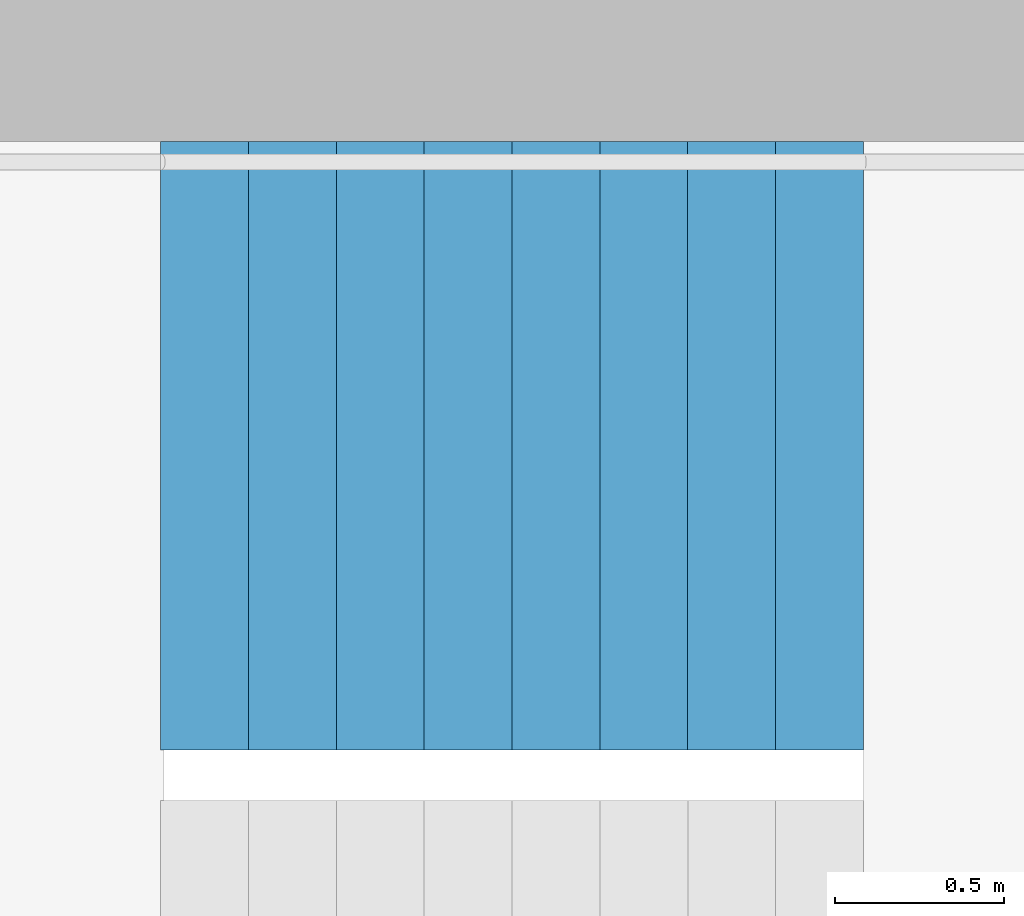
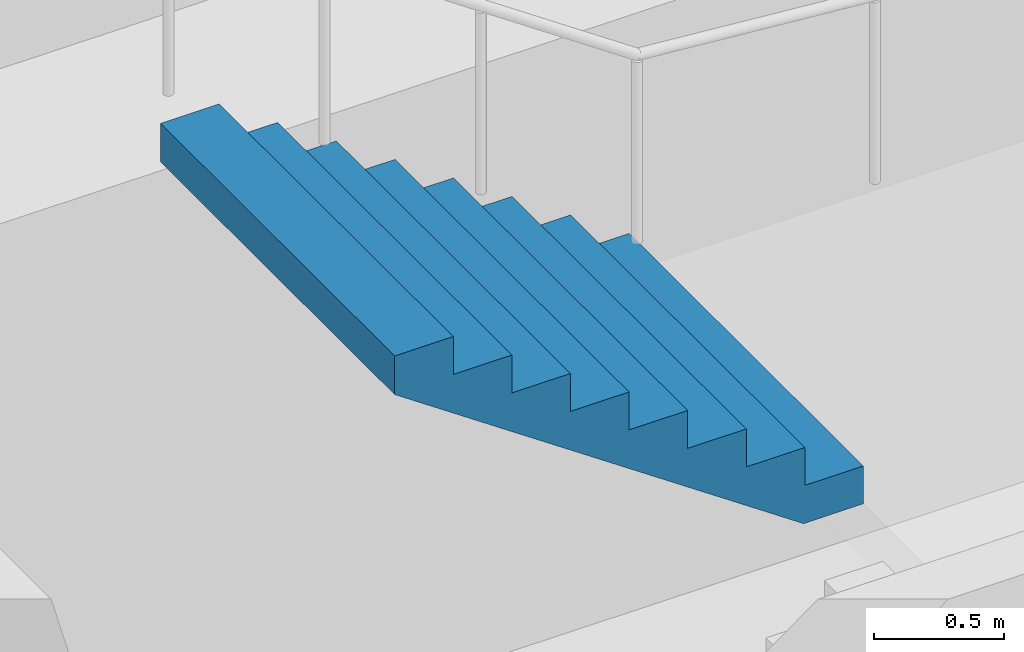
# One storey, part 23 of 28: 1 stair flight, 1 element without a shape of its own.
"""IFC4 building model written with IfcOpenShell, lengths in metres."""

from ifc_helpers import new_model, si_unit, direction, frame, origin, place, context, subcontext, project, spatial, triangles, material, type_object, element, aggregate, save


model = new_model("IFC4")

# Units and contexts
model_context = context("Model", 3, precision=1e-05, world=origin(), true_north=direction((0.0, 1.0)))
body_context = subcontext(model_context, "Body", "Model", "MODEL_VIEW")
ifc_project = project(units=[si_unit("LENGTHUNIT", "METRE"), si_unit("AREAUNIT", "SQUARE_METRE"), si_unit("VOLUMEUNIT", "CUBIC_METRE"), si_unit("PLANEANGLEUNIT", "RADIAN"), si_unit("MASSUNIT", "GRAM", prefix="KILO")], contexts=[model_context])

# Site, building, storey
site_placement = place(None, origin())
site = spatial("IfcSite", under=ifc_project, at=site_placement, CompositionType="ELEMENT")
building_placement = place(site_placement, origin())
building = spatial("IfcBuilding", under=site, at=building_placement, Name="Hakoniwa Tower and Hamabe Station Hall", CompositionType="ELEMENT")
storey_placement = place(building_placement, frame((0.0, 0.0, 58.199951171875)))
storey = spatial("IfcBuildingStorey", under=building, at=storey_placement, Name="L16", CompositionType="ELEMENT", Elevation=58.199951171875)

# Stair, stair flight
ifc_material_1 = material(Name="Concrete C40", Category="concrete")
stair_type = type_object("IfcStairType", Name="ESCAPE STAIR 1800", PredefinedType="HALF_TURN_STAIR", material=ifc_material_1)
stair_placement = place(storey_placement, origin())
stair = element("IfcStair", 1, at=stair_placement, inside=storey, type_object=stair_type, Name="Escape stair ST-1 L16", PredefinedType="HALF_TURN_STAIR")
ifc_material_2 = material(Name="Concrete C40", Category="concrete")
stair_flight_type = type_object("IfcStairFlightType", Name="STAIR FLIGHT 1800", PredefinedType="STRAIGHT", material=ifc_material_2)
stair_flight_placement = place(storey_placement, frame((-22.320068359375, 6.60009765625, 1.60009765625), z_axis=(0.0, 0.0, 1.0), x_axis=(-1.0, 0.0, 0.0)))
stair_flight = element("IfcStairFlight", 2, at=stair_flight_placement, type_object=stair_flight_type, Name="ST-1 flight 2", NumberOfRisers=9, NumberOfTreads=8, PredefinedType="STRAIGHT", RiserHeight=0.177777778, TreadLength=0.26, context=body_context, shape_type="Tessellation", body=[
    triangles([(0.0, 0.89990234375, 0.0), (0.260009765625, 0.89990234375, 0.0), (0.265625, 0.89990234375, 0.0), (0.52001953125, 0.89990234375, 0.174072265625), (0.780029296875, 0.89990234375, 0.351806640625), (1.0400390625, 0.89990234375, 0.529541015625), (1.300048828125, 0.89990234375, 0.707275390625), (1.56005859375, 0.89990234375, 0.885009765625), (1.820068359375, 0.89990234375, 1.062744140625), (2.080078125, 0.89990234375, 1.24072265625), (2.080078125, 0.89990234375, 1.422119140625), (1.820068359375, 0.89990234375, 1.422119140625), (1.820068359375, 0.89990234375, 1.244384765625), (1.56005859375, 0.89990234375, 1.244384765625), (1.56005859375, 0.89990234375, 1.066650390625), (1.300048828125, 0.89990234375, 1.066650390625), (1.300048828125, 0.89990234375, 0.888916015625), (1.0400390625, 0.89990234375, 0.888916015625), (1.0400390625, 0.89990234375, 0.711181640625), (0.780029296875, 0.89990234375, 0.711181640625), (0.780029296875, 0.89990234375, 0.533447265625), (0.52001953125, 0.89990234375, 0.533447265625), (0.52001953125, 0.89990234375, 0.35546875), (0.265625, 0.89990234375, 0.35546875), (0.260009765625, 0.89990234375, 0.35546875), (0.260009765625, 0.89990234375, 0.177734375), (0.0, 0.89990234375, 0.177734375), (0.0, 0.06005859375, 0.0), (0.260009765625, 0.06005859375, 0.0), (0.265625, 0.06005859375, 0.0), (0.52001953125, 0.06005859375, 0.174072265625), (0.780029296875, 0.06005859375, 0.351806640625), (1.0400390625, 0.06005859375, 0.529541015625), (1.300048828125, 0.06005859375, 0.707275390625), (1.56005859375, 0.06005859375, 0.885009765625), (1.820068359375, 0.06005859375, 1.062744140625), (2.080078125, 0.06005859375, 1.24072265625), (2.080078125, 0.06005859375, 1.422119140625), (1.820068359375, 0.06005859375, 1.422119140625), (1.820068359375, 0.06005859375, 1.244384765625), (1.56005859375, 0.06005859375, 1.244384765625), (1.56005859375, 0.06005859375, 1.066650390625), (1.300048828125, 0.06005859375, 1.066650390625), (1.300048828125, 0.06005859375, 0.888916015625), (1.0400390625, 0.06005859375, 0.888916015625), (1.0400390625, 0.06005859375, 0.711181640625), (0.780029296875, 0.06005859375, 0.711181640625), (0.780029296875, 0.06005859375, 0.533447265625), (0.52001953125, 0.06005859375, 0.533447265625), (0.52001953125, 0.06005859375, 0.35546875), (0.265625, 0.06005859375, 0.35546875), (0.260009765625, 0.06005859375, 0.35546875), (0.260009765625, 0.06005859375, 0.177734375), (0.0, 0.06005859375, 0.177734375), (0.0, 0.04296875, 0.0), (0.260009765625, 0.04296875, 0.0), (0.265625, 0.04296875, 0.0), (0.52001953125, 0.04296875, 0.174072265625), (0.780029296875, 0.04296875, 0.351806640625), (1.0400390625, 0.04296875, 0.529541015625), (1.300048828125, 0.04296875, 0.707275390625), (1.56005859375, 0.04296875, 0.885009765625), (1.820068359375, 0.04296875, 1.062744140625), (2.080078125, 0.04296875, 1.24072265625), (2.080078125, 0.04296875, 1.422119140625), (1.820068359375, 0.04296875, 1.422119140625), (1.820068359375, 0.04296875, 1.244384765625), (1.56005859375, 0.04296875, 1.244384765625), (1.56005859375, 0.04296875, 1.066650390625), (1.300048828125, 0.04296875, 1.066650390625), (1.300048828125, 0.04296875, 0.888916015625), (1.0400390625, 0.04296875, 0.888916015625), (1.0400390625, 0.04296875, 0.711181640625), (0.780029296875, 0.04296875, 0.711181640625), (0.780029296875, 0.04296875, 0.533447265625), (0.52001953125, 0.04296875, 0.533447265625), (0.52001953125, 0.04296875, 0.35546875), (0.265625, 0.04296875, 0.35546875), (0.260009765625, 0.04296875, 0.35546875), (0.260009765625, 0.04296875, 0.177734375), (0.0, 0.04296875, 0.177734375), (0.0, 0.025634765625, 0.0), (0.260009765625, 0.025634765625, 0.0), (0.265625, 0.025634765625, 0.0), (0.52001953125, 0.025634765625, 0.174072265625), (0.780029296875, 0.025634765625, 0.351806640625), (1.0400390625, 0.025634765625, 0.529541015625), (1.300048828125, 0.025634765625, 0.707275390625), (1.56005859375, 0.025634765625, 0.885009765625), (1.820068359375, 0.025634765625, 1.062744140625), (2.080078125, 0.025634765625, 1.24072265625), (2.080078125, 0.025634765625, 1.422119140625), (1.820068359375, 0.025634765625, 1.422119140625), (1.820068359375, 0.025634765625, 1.244384765625), (1.56005859375, 0.025634765625, 1.244384765625), (1.56005859375, 0.025634765625, 1.066650390625), (1.300048828125, 0.025634765625, 1.066650390625), (1.300048828125, 0.025634765625, 0.888916015625), (1.0400390625, 0.025634765625, 0.888916015625), (1.0400390625, 0.025634765625, 0.711181640625), (0.780029296875, 0.025634765625, 0.711181640625), (0.780029296875, 0.025634765625, 0.533447265625), (0.52001953125, 0.025634765625, 0.533447265625), (0.52001953125, 0.025634765625, 0.35546875), (0.265625, 0.025634765625, 0.35546875), (0.260009765625, 0.025634765625, 0.35546875), (0.260009765625, 0.025634765625, 0.177734375), (0.0, 0.025634765625, 0.177734375), (0.0, 0.008544921875, 0.0), (0.260009765625, 0.008544921875, 0.0), (0.265625, 0.008544921875, 0.0), (0.52001953125, 0.008544921875, 0.174072265625), (0.780029296875, 0.008544921875, 0.351806640625), (1.0400390625, 0.008544921875, 0.529541015625), (1.300048828125, 0.008544921875, 0.707275390625), (1.56005859375, 0.008544921875, 0.885009765625), (1.820068359375, 0.008544921875, 1.062744140625), (2.080078125, 0.008544921875, 1.24072265625), (2.080078125, 0.008544921875, 1.422119140625), (1.820068359375, 0.008544921875, 1.422119140625), (1.820068359375, 0.008544921875, 1.244384765625), (1.56005859375, 0.008544921875, 1.244384765625), (1.56005859375, 0.008544921875, 1.066650390625), (1.300048828125, 0.008544921875, 1.066650390625), (1.300048828125, 0.008544921875, 0.888916015625), (1.0400390625, 0.008544921875, 0.888916015625), (1.0400390625, 0.008544921875, 0.711181640625), (0.780029296875, 0.008544921875, 0.711181640625), (0.780029296875, 0.008544921875, 0.533447265625), (0.52001953125, 0.008544921875, 0.533447265625), (0.52001953125, 0.008544921875, 0.35546875), (0.265625, 0.008544921875, 0.35546875), (0.260009765625, 0.008544921875, 0.35546875), (0.260009765625, 0.008544921875, 0.177734375), (0.0, 0.008544921875, 0.177734375), (0.0, -0.008544921875, 0.0), (0.260009765625, -0.008544921875, 0.0), (0.265625, -0.008544921875, 0.0), (0.52001953125, -0.008544921875, 0.174072265625), (0.780029296875, -0.008544921875, 0.351806640625), (1.0400390625, -0.008544921875, 0.529541015625), (1.300048828125, -0.008544921875, 0.707275390625), (1.56005859375, -0.008544921875, 0.885009765625), (1.820068359375, -0.008544921875, 1.062744140625), (2.080078125, -0.008544921875, 1.24072265625), (2.080078125, -0.008544921875, 1.422119140625), (1.820068359375, -0.008544921875, 1.422119140625), (1.820068359375, -0.008544921875, 1.244384765625), (1.56005859375, -0.008544921875, 1.244384765625), (1.56005859375, -0.008544921875, 1.066650390625), (1.300048828125, -0.008544921875, 1.066650390625), (1.300048828125, -0.008544921875, 0.888916015625), (1.0400390625, -0.008544921875, 0.888916015625), (1.0400390625, -0.008544921875, 0.711181640625), (0.780029296875, -0.008544921875, 0.711181640625), (0.780029296875, -0.008544921875, 0.533447265625), (0.52001953125, -0.008544921875, 0.533447265625), (0.52001953125, -0.008544921875, 0.35546875), (0.265625, -0.008544921875, 0.35546875), (0.260009765625, -0.008544921875, 0.35546875), (0.260009765625, -0.008544921875, 0.177734375), (0.0, -0.008544921875, 0.177734375), (0.0, -0.025634765625, 0.0), (0.260009765625, -0.025634765625, 0.0), (0.265625, -0.025634765625, 0.0), (0.52001953125, -0.025634765625, 0.174072265625), (0.780029296875, -0.025634765625, 0.351806640625), (1.0400390625, -0.025634765625, 0.529541015625), (1.300048828125, -0.025634765625, 0.707275390625), (1.56005859375, -0.025634765625, 0.885009765625), (1.820068359375, -0.025634765625, 1.062744140625), (2.080078125, -0.025634765625, 1.24072265625), (2.080078125, -0.025634765625, 1.422119140625), (1.820068359375, -0.025634765625, 1.422119140625), (1.820068359375, -0.025634765625, 1.244384765625), (1.56005859375, -0.025634765625, 1.244384765625), (1.56005859375, -0.025634765625, 1.066650390625), (1.300048828125, -0.025634765625, 1.066650390625), (1.300048828125, -0.025634765625, 0.888916015625), (1.0400390625, -0.025634765625, 0.888916015625), (1.0400390625, -0.025634765625, 0.711181640625), (0.780029296875, -0.025634765625, 0.711181640625), (0.780029296875, -0.025634765625, 0.533447265625), (0.52001953125, -0.025634765625, 0.533447265625), (0.52001953125, -0.025634765625, 0.35546875), (0.265625, -0.025634765625, 0.35546875), (0.260009765625, -0.025634765625, 0.35546875), (0.260009765625, -0.025634765625, 0.177734375), (0.0, -0.025634765625, 0.177734375), (0.0, -0.04296875, 0.0), (0.260009765625, -0.04296875, 0.0), (0.265625, -0.04296875, 0.0), (0.52001953125, -0.04296875, 0.174072265625), (0.780029296875, -0.04296875, 0.351806640625), (1.0400390625, -0.04296875, 0.529541015625), (1.300048828125, -0.04296875, 0.707275390625), (1.56005859375, -0.04296875, 0.885009765625), (1.820068359375, -0.04296875, 1.062744140625), (2.080078125, -0.04296875, 1.24072265625), (2.080078125, -0.04296875, 1.422119140625), (1.820068359375, -0.04296875, 1.422119140625), (1.820068359375, -0.04296875, 1.244384765625), (1.56005859375, -0.04296875, 1.244384765625), (1.56005859375, -0.04296875, 1.066650390625), (1.300048828125, -0.04296875, 1.066650390625), (1.300048828125, -0.04296875, 0.888916015625), (1.0400390625, -0.04296875, 0.888916015625), (1.0400390625, -0.04296875, 0.711181640625), (0.780029296875, -0.04296875, 0.711181640625), (0.780029296875, -0.04296875, 0.533447265625), (0.52001953125, -0.04296875, 0.533447265625), (0.52001953125, -0.04296875, 0.35546875), (0.265625, -0.04296875, 0.35546875), (0.260009765625, -0.04296875, 0.35546875), (0.260009765625, -0.04296875, 0.177734375), (0.0, -0.04296875, 0.177734375), (0.0, -0.06005859375, 0.0), (0.260009765625, -0.06005859375, 0.0), (0.265625, -0.06005859375, 0.0), (0.52001953125, -0.06005859375, 0.174072265625), (0.780029296875, -0.06005859375, 0.351806640625), (1.0400390625, -0.06005859375, 0.529541015625), (1.300048828125, -0.06005859375, 0.707275390625), (1.56005859375, -0.06005859375, 0.885009765625), (1.820068359375, -0.06005859375, 1.062744140625), (2.080078125, -0.06005859375, 1.24072265625), (2.080078125, -0.06005859375, 1.422119140625), (1.820068359375, -0.06005859375, 1.422119140625), (1.820068359375, -0.06005859375, 1.244384765625), (1.56005859375, -0.06005859375, 1.244384765625), (1.56005859375, -0.06005859375, 1.066650390625), (1.300048828125, -0.06005859375, 1.066650390625), (1.300048828125, -0.06005859375, 0.888916015625), (1.0400390625, -0.06005859375, 0.888916015625), (1.0400390625, -0.06005859375, 0.711181640625), (0.780029296875, -0.06005859375, 0.711181640625), (0.780029296875, -0.06005859375, 0.533447265625), (0.52001953125, -0.06005859375, 0.533447265625), (0.52001953125, -0.06005859375, 0.35546875), (0.265625, -0.06005859375, 0.35546875), (0.260009765625, -0.06005859375, 0.35546875), (0.260009765625, -0.06005859375, 0.177734375), (0.0, -0.06005859375, 0.177734375), (0.0, -0.89990234375, 0.0), (0.260009765625, -0.89990234375, 0.0), (0.265625, -0.89990234375, 0.0), (0.52001953125, -0.89990234375, 0.174072265625), (0.780029296875, -0.89990234375, 0.351806640625), (1.0400390625, -0.89990234375, 0.529541015625), (1.300048828125, -0.89990234375, 0.707275390625), (1.56005859375, -0.89990234375, 0.885009765625), (1.820068359375, -0.89990234375, 1.062744140625), (2.080078125, -0.89990234375, 1.24072265625), (2.080078125, -0.89990234375, 1.422119140625), (1.820068359375, -0.89990234375, 1.422119140625), (1.820068359375, -0.89990234375, 1.244384765625), (1.56005859375, -0.89990234375, 1.244384765625), (1.56005859375, -0.89990234375, 1.066650390625), (1.300048828125, -0.89990234375, 1.066650390625), (1.300048828125, -0.89990234375, 0.888916015625), (1.0400390625, -0.89990234375, 0.888916015625), (1.0400390625, -0.89990234375, 0.711181640625), (0.780029296875, -0.89990234375, 0.711181640625), (0.780029296875, -0.89990234375, 0.533447265625), (0.52001953125, -0.89990234375, 0.533447265625), (0.52001953125, -0.89990234375, 0.35546875), (0.265625, -0.89990234375, 0.35546875), (0.260009765625, -0.89990234375, 0.35546875), (0.260009765625, -0.89990234375, 0.177734375), (0.0, -0.89990234375, 0.177734375)], [[2, 27, 26], [245, 269, 270], [2, 1, 27], [245, 270, 244], [3, 25, 24], [246, 267, 268], [3, 26, 25], [246, 268, 269], [3, 2, 26], [246, 269, 245], [4, 24, 23], [247, 266, 267], [4, 3, 24], [247, 267, 246], [5, 22, 21], [248, 264, 265], [5, 23, 22], [248, 265, 266], [5, 4, 23], [248, 266, 247], [6, 20, 19], [249, 262, 263], [6, 21, 20], [249, 263, 264], [6, 5, 21], [249, 264, 248], [7, 18, 17], [250, 260, 261], [7, 19, 18], [250, 261, 262], [7, 6, 19], [250, 262, 249], [8, 16, 15], [251, 258, 259], [8, 17, 16], [251, 259, 260], [8, 7, 17], [251, 260, 250], [9, 14, 13], [252, 256, 257], [9, 15, 14], [252, 257, 258], [9, 8, 15], [252, 258, 251], [10, 12, 11], [253, 254, 255], [10, 13, 12], [253, 255, 256], [10, 9, 13], [253, 256, 252], [1, 2, 29], [1, 29, 28], [28, 29, 56], [28, 56, 55], [55, 56, 83], [55, 83, 82], [82, 83, 110], [82, 110, 109], [109, 110, 137], [109, 137, 136], [136, 137, 164], [136, 164, 163], [163, 164, 191], [163, 191, 190], [190, 191, 218], [190, 218, 217], [217, 218, 245], [217, 245, 244], [2, 3, 30], [2, 30, 29], [29, 30, 57], [29, 57, 56], [56, 57, 84], [56, 84, 83], [83, 84, 111], [83, 111, 110], [110, 111, 138], [110, 138, 137], [137, 138, 165], [137, 165, 164], [164, 165, 192], [164, 192, 191], [191, 192, 219], [191, 219, 218], [218, 219, 246], [218, 246, 245], [3, 4, 31], [3, 31, 30], [30, 31, 58], [30, 58, 57], [57, 58, 85], [57, 85, 84], [84, 85, 112], [84, 112, 111], [111, 112, 139], [111, 139, 138], [138, 139, 166], [138, 166, 165], [165, 166, 193], [165, 193, 192], [192, 193, 220], [192, 220, 219], [219, 220, 247], [219, 247, 246], [4, 5, 32], [4, 32, 31], [31, 32, 59], [31, 59, 58], [58, 59, 86], [58, 86, 85], [85, 86, 113], [85, 113, 112], [112, 113, 140], [112, 140, 139], [139, 140, 167], [139, 167, 166], [166, 167, 194], [166, 194, 193], [193, 194, 221], [193, 221, 220], [220, 221, 248], [220, 248, 247], [5, 6, 33], [5, 33, 32], [32, 33, 60], [32, 60, 59], [59, 60, 87], [59, 87, 86], [86, 87, 114], [86, 114, 113], [113, 114, 141], [113, 141, 140], [140, 141, 168], [140, 168, 167], [167, 168, 195], [167, 195, 194], [194, 195, 222], [194, 222, 221], [221, 222, 249], [221, 249, 248], [6, 7, 34], [6, 34, 33], [33, 34, 61], [33, 61, 60], [60, 61, 88], [60, 88, 87], [87, 88, 115], [87, 115, 114], [114, 115, 142], [114, 142, 141], [141, 142, 169], [141, 169, 168], [168, 169, 196], [168, 196, 195], [195, 196, 223], [195, 223, 222], [222, 223, 250], [222, 250, 249], [7, 8, 35], [7, 35, 34], [34, 35, 62], [34, 62, 61], [61, 62, 89], [61, 89, 88], [88, 89, 116], [88, 116, 115], [115, 116, 143], [115, 143, 142], [142, 143, 170], [142, 170, 169], [169, 170, 197], [169, 197, 196], [196, 197, 224], [196, 224, 223], [223, 224, 251], [223, 251, 250], [8, 9, 36], [8, 36, 35], [35, 36, 63], [35, 63, 62], [62, 63, 90], [62, 90, 89], [89, 90, 117], [89, 117, 116], [116, 117, 144], [116, 144, 143], [143, 144, 171], [143, 171, 170], [170, 171, 198], [170, 198, 197], [197, 198, 225], [197, 225, 224], [224, 225, 252], [224, 252, 251], [9, 10, 37], [9, 37, 36], [36, 37, 64], [36, 64, 63], [63, 64, 91], [63, 91, 90], [90, 91, 118], [90, 118, 117], [117, 118, 145], [117, 145, 144], [144, 145, 172], [144, 172, 171], [171, 172, 199], [171, 199, 198], [198, 199, 226], [198, 226, 225], [225, 226, 253], [225, 253, 252], [10, 11, 38], [10, 38, 37], [37, 38, 65], [37, 65, 64], [64, 65, 92], [64, 92, 91], [91, 92, 119], [91, 119, 118], [118, 119, 146], [118, 146, 145], [145, 146, 173], [145, 173, 172], [172, 173, 200], [172, 200, 199], [199, 200, 227], [199, 227, 226], [226, 227, 254], [226, 254, 253], [11, 12, 39], [11, 39, 38], [38, 39, 66], [38, 66, 65], [65, 66, 93], [65, 93, 92], [92, 93, 120], [92, 120, 119], [119, 120, 147], [119, 147, 146], [146, 147, 174], [146, 174, 173], [173, 174, 201], [173, 201, 200], [200, 201, 228], [200, 228, 227], [227, 228, 255], [227, 255, 254], [12, 13, 40], [12, 40, 39], [39, 40, 67], [39, 67, 66], [66, 67, 94], [66, 94, 93], [93, 94, 121], [93, 121, 120], [120, 121, 148], [120, 148, 147], [147, 148, 175], [147, 175, 174], [174, 175, 202], [174, 202, 201], [201, 202, 229], [201, 229, 228], [228, 229, 256], [228, 256, 255], [13, 14, 41], [13, 41, 40], [40, 41, 68], [40, 68, 67], [67, 68, 95], [67, 95, 94], [94, 95, 122], [94, 122, 121], [121, 122, 149], [121, 149, 148], [148, 149, 176], [148, 176, 175], [175, 176, 203], [175, 203, 202], [202, 203, 230], [202, 230, 229], [229, 230, 257], [229, 257, 256], [14, 15, 42], [14, 42, 41], [41, 42, 69], [41, 69, 68], [68, 69, 96], [68, 96, 95], [95, 96, 123], [95, 123, 122], [122, 123, 150], [122, 150, 149], [149, 150, 177], [149, 177, 176], [176, 177, 204], [176, 204, 203], [203, 204, 231], [203, 231, 230], [230, 231, 258], [230, 258, 257], [15, 16, 43], [15, 43, 42], [42, 43, 70], [42, 70, 69], [69, 70, 97], [69, 97, 96], [96, 97, 124], [96, 124, 123], [123, 124, 151], [123, 151, 150], [150, 151, 178], [150, 178, 177], [177, 178, 205], [177, 205, 204], [204, 205, 232], [204, 232, 231], [231, 232, 259], [231, 259, 258], [16, 17, 44], [16, 44, 43], [43, 44, 71], [43, 71, 70], [70, 71, 98], [70, 98, 97], [97, 98, 125], [97, 125, 124], [124, 125, 152], [124, 152, 151], [151, 152, 179], [151, 179, 178], [178, 179, 206], [178, 206, 205], [205, 206, 233], [205, 233, 232], [232, 233, 260], [232, 260, 259], [17, 18, 45], [17, 45, 44], [44, 45, 72], [44, 72, 71], [71, 72, 99], [71, 99, 98], [98, 99, 126], [98, 126, 125], [125, 126, 153], [125, 153, 152], [152, 153, 180], [152, 180, 179], [179, 180, 207], [179, 207, 206], [206, 207, 234], [206, 234, 233], [233, 234, 261], [233, 261, 260], [18, 19, 46], [18, 46, 45], [45, 46, 73], [45, 73, 72], [72, 73, 100], [72, 100, 99], [99, 100, 127], [99, 127, 126], [126, 127, 154], [126, 154, 153], [153, 154, 181], [153, 181, 180], [180, 181, 208], [180, 208, 207], [207, 208, 235], [207, 235, 234], [234, 235, 262], [234, 262, 261], [19, 20, 47], [19, 47, 46], [46, 47, 74], [46, 74, 73], [73, 74, 101], [73, 101, 100], [100, 101, 128], [100, 128, 127], [127, 128, 155], [127, 155, 154], [154, 155, 182], [154, 182, 181], [181, 182, 209], [181, 209, 208], [208, 209, 236], [208, 236, 235], [235, 236, 263], [235, 263, 262], [20, 21, 48], [20, 48, 47], [47, 48, 75], [47, 75, 74], [74, 75, 102], [74, 102, 101], [101, 102, 129], [101, 129, 128], [128, 129, 156], [128, 156, 155], [155, 156, 183], [155, 183, 182], [182, 183, 210], [182, 210, 209], [209, 210, 237], [209, 237, 236], [236, 237, 264], [236, 264, 263], [21, 22, 49], [21, 49, 48], [48, 49, 76], [48, 76, 75], [75, 76, 103], [75, 103, 102], [102, 103, 130], [102, 130, 129], [129, 130, 157], [129, 157, 156], [156, 157, 184], [156, 184, 183], [183, 184, 211], [183, 211, 210], [210, 211, 238], [210, 238, 237], [237, 238, 265], [237, 265, 264], [22, 23, 50], [22, 50, 49], [49, 50, 77], [49, 77, 76], [76, 77, 104], [76, 104, 103], [103, 104, 131], [103, 131, 130], [130, 131, 158], [130, 158, 157], [157, 158, 185], [157, 185, 184], [184, 185, 212], [184, 212, 211], [211, 212, 239], [211, 239, 238], [238, 239, 266], [238, 266, 265], [23, 24, 51], [23, 51, 50], [50, 51, 78], [50, 78, 77], [77, 78, 105], [77, 105, 104], [104, 105, 132], [104, 132, 131], [131, 132, 159], [131, 159, 158], [158, 159, 186], [158, 186, 185], [185, 186, 213], [185, 213, 212], [212, 213, 240], [212, 240, 239], [239, 240, 267], [239, 267, 266], [24, 25, 52], [24, 52, 51], [51, 52, 79], [51, 79, 78], [78, 79, 106], [78, 106, 105], [105, 106, 133], [105, 133, 132], [132, 133, 160], [132, 160, 159], [159, 160, 187], [159, 187, 186], [186, 187, 214], [186, 214, 213], [213, 214, 241], [213, 241, 240], [240, 241, 268], [240, 268, 267], [25, 26, 53], [25, 53, 52], [52, 53, 80], [52, 80, 79], [79, 80, 107], [79, 107, 106], [106, 107, 134], [106, 134, 133], [133, 134, 161], [133, 161, 160], [160, 161, 188], [160, 188, 187], [187, 188, 215], [187, 215, 214], [214, 215, 242], [214, 242, 241], [241, 242, 269], [241, 269, 268], [26, 27, 54], [26, 54, 53], [53, 54, 81], [53, 81, 80], [80, 81, 108], [80, 108, 107], [107, 108, 135], [107, 135, 134], [134, 135, 162], [134, 162, 161], [161, 162, 189], [161, 189, 188], [188, 189, 216], [188, 216, 215], [215, 216, 243], [215, 243, 242], [242, 243, 270], [242, 270, 269], [27, 1, 28], [27, 28, 54], [54, 28, 55], [54, 55, 81], [81, 55, 82], [81, 82, 108], [108, 82, 109], [108, 109, 135], [135, 109, 136], [135, 136, 162], [162, 136, 163], [162, 163, 189], [189, 163, 190], [189, 190, 216], [216, 190, 217], [216, 217, 243], [243, 217, 244], [243, 244, 270]], closed=True),
])
aggregate(stair, [stair_flight])

save(model, "model.ifc")
